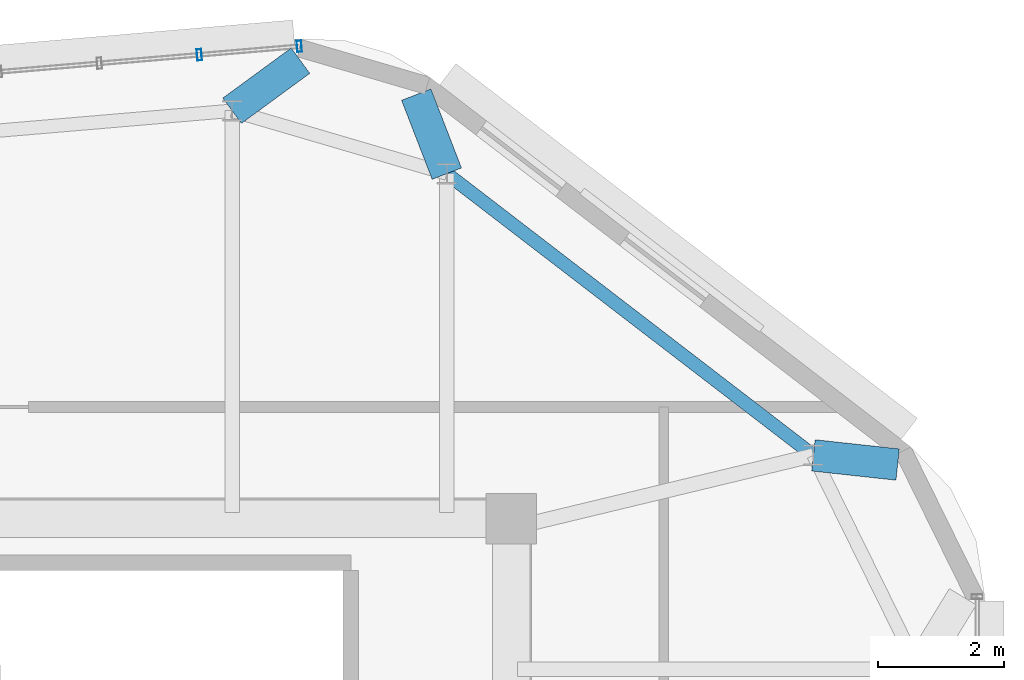
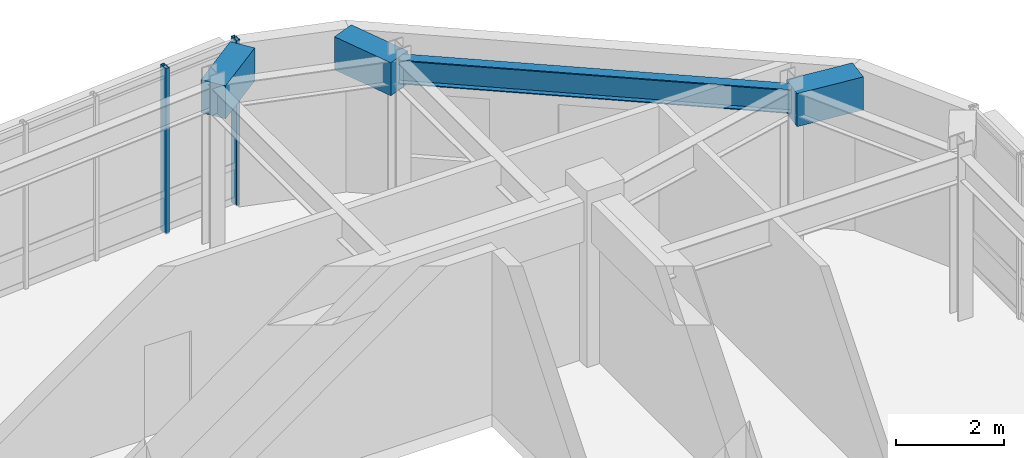
# One storey, part 9 of 13: 4 beams, 2 members, 1 element without a shape of its own.
"""IFC4 building model written with IfcOpenShell, lengths in metres."""

from ifc_helpers import new_model, si_unit, direction, frame, origin, origin_2d, place, context, subcontext, project, spatial, rectangle, hollow_rectangle, i_section, extrude, material, material_profile, profile_set, type_object, element, aggregate, save


model = new_model("IFC4")

# Units and contexts
model_context = context("Model", 3, precision=1e-05, world=origin(), true_north=direction((0.0, 1.0)))
body_context = subcontext(model_context, "Body", "Model", "MODEL_VIEW")
ifc_project = project(units=[si_unit("LENGTHUNIT", "METRE"), si_unit("AREAUNIT", "SQUARE_METRE"), si_unit("VOLUMEUNIT", "CUBIC_METRE"), si_unit("PLANEANGLEUNIT", "RADIAN"), si_unit("MASSUNIT", "GRAM", prefix="KILO")], contexts=[model_context])

# Site, building, storey
site_placement = place(None, origin())
site = spatial("IfcSite", under=ifc_project, at=site_placement, CompositionType="ELEMENT")
building_placement = place(site_placement, origin())
building = spatial("IfcBuilding", under=site, at=building_placement, Name="Zulverin Broadcast Headquarters", CompositionType="ELEMENT")
storey_placement = place(building_placement, frame((0.0, 0.0, 333.39990234375)))
storey = spatial("IfcBuildingStorey", under=building, at=storey_placement, Name="C6", CompositionType="ELEMENT", Elevation=333.39990234375)

# Beams
ifc_material_1 = material(Name="Concrete C40/50", Category="concrete")
ifc_material_profile_1 = material_profile(ifc_material_1, rectangle(XDim=0.5, YDim=0.75, at=origin_2d()), Name="Concrete C40/50", Category="concrete")
ifc_profile_set_1 = profile_set([ifc_material_profile_1], Name="Concrete C40/50")
beam_type_1 = type_object("IfcBeamType", Name="BM-RC-500x750", PredefinedType="BEAM", material=ifc_profile_set_1)
for number, where, z_axis, x_axis, name in (
    (1, (53.076416015625, 34.080810546875, 3.3251953125), (0.99414192174, -0.108082558438, 0.0), (0.108082558438, 0.99414192174, 0.0), "RF Plate Overhang Back-Spanned Beam OVR-07"),
    (2, (47.2509765625, 38.5576171875, 3.3251953125), (-0.360546320044, 0.932741309851, 0.0), (-0.932741309851, -0.360546320044, 0.0), "RF Plate Overhang Back-Spanned Beam OVR-08"),
    (3, (43.839599609375, 39.557373046875, 3.3251953125), (0.806889061999, 0.590703006278, 0.0), (-0.590703006278, 0.806889061999, 0.0), "RF Plate Overhang Back-Spanned Beam OVR-09"),
):
    element("IfcBeam", number, at=place(storey_placement, frame(where, z_axis=z_axis, x_axis=x_axis)), inside=storey, type_object=beam_type_1, Name=name, PredefinedType="BEAM", context=body_context, shape_type="SweptSolid", body=[
        extrude(rectangle(XDim=0.5, YDim=0.75, at=origin_2d()), origin(), (0.0, 0.0, 1.0), 1.34619140625),
    ])
ifc_material_2 = material(Name="Structural steel S355JR", Category="steel")
ifc_material_profile_2 = material_profile(ifc_material_2, i_section(OverallWidth=0.2119140625, OverallDepth=0.54443359375, WebThickness=0.0126953125, FlangeThickness=0.021240234375, at=origin_2d()), Name="Structural steel S355JR", Category="steel")
ifc_profile_set_2 = profile_set([ifc_material_profile_2], Name="Structural steel S355JR")
beam_type_2 = type_object("IfcBeamType", Name="BM-UB-533", PredefinedType="SPANDREL", material=ifc_profile_set_2)
beam_placement = place(storey_placement, frame((53.076416015625, 34.080810546875, 3.427978515625), z_axis=(-0.792906793207, 0.609342938981, 0.0), x_axis=(-0.609342938981, -0.792906793207, 0.0)))
element("IfcBeam", 4, at=beam_placement, inside=storey, type_object=beam_type_2, Name="C6 Perimeter Spandrel Beam SP-07", PredefinedType="SPANDREL", context=body_context, shape_type="SweptSolid", body=[
    extrude(i_section(OverallWidth=0.2119140625, OverallDepth=0.54443359375, WebThickness=0.0126953125, FlangeThickness=0.021240234375, at=origin_2d()), origin(), (0.0, 0.0, 1.0), 7.346923828125),
])

# Curtain wall, members
ifc_material_3 = material(Name="Crown damper-hall structural glass curtain wall", Category="glass")
curtain_wall_type = type_object("IfcCurtainWallType", Name="CW-CRN", PredefinedType="USERDEFINED", material=ifc_material_3)
curtain_wall_placement = place(storey_placement, origin())
curtain_wall = element("IfcCurtainWall", 5, at=curtain_wall_placement, inside=storey, type_object=curtain_wall_type, Name="C6 Unitised Curtain Wall CW-C6-E5", ObjectType="UNITISED CURTAIN WALL", PredefinedType="USERDEFINED")
ifc_material_4 = material(Name="Anodized pale-metal aluminium alloy 6063-T6", Category="aluminium")
ifc_material_profile_3 = material_profile(ifc_material_4, hollow_rectangle(XDim=0.074951171875, YDim=0.179931640625, WallThickness=0.0048828125, at=origin_2d()), Name="Anodized pale-metal aluminium alloy 6063-T6", Category="aluminium")
ifc_profile_set_3 = profile_set([ifc_material_profile_3], Name="Anodized pale-metal aluminium alloy 6063-T6")
member_type = type_object("IfcMemberType", Name="CW-MUL-180", PredefinedType="MULLION", material=ifc_profile_set_3)
member_1_placement = place(storey_placement, frame((44.906494140625, 40.58154296875, -0.02978515625), z_axis=(0.0, 0.0, 1.0), x_axis=(-0.996389439284, -0.084900443359, 0.0)))
member_1 = element("IfcMember", 6, at=member_1_placement, type_object=member_type, Name="CW-C6-E5 Mullion 00", PredefinedType="MULLION", context=body_context, shape_type="SweptSolid", body=[
    extrude(hollow_rectangle(XDim=0.074951171875, YDim=0.179931640625, WallThickness=0.0048828125, at=origin_2d()), origin(), (0.0, 0.0, 1.0), 3.759765625),
])
member_2_placement = place(storey_placement, frame((43.318115234375, 40.4462890625, -0.02978515625), z_axis=(0.0, 0.0, 1.0), x_axis=(-0.996389439284, -0.084900443359, 0.0)))
member_2 = element("IfcMember", 7, at=member_2_placement, type_object=member_type, Name="CW-C6-E5 Mullion 01", PredefinedType="MULLION", context=body_context, shape_type="SweptSolid", body=[
    extrude(hollow_rectangle(XDim=0.074951171875, YDim=0.179931640625, WallThickness=0.0048828125, at=origin_2d()), origin(), (0.0, 0.0, 1.0), 3.759765625),
])
aggregate(curtain_wall, [member_1, member_2])

save(model, "model.ifc")
